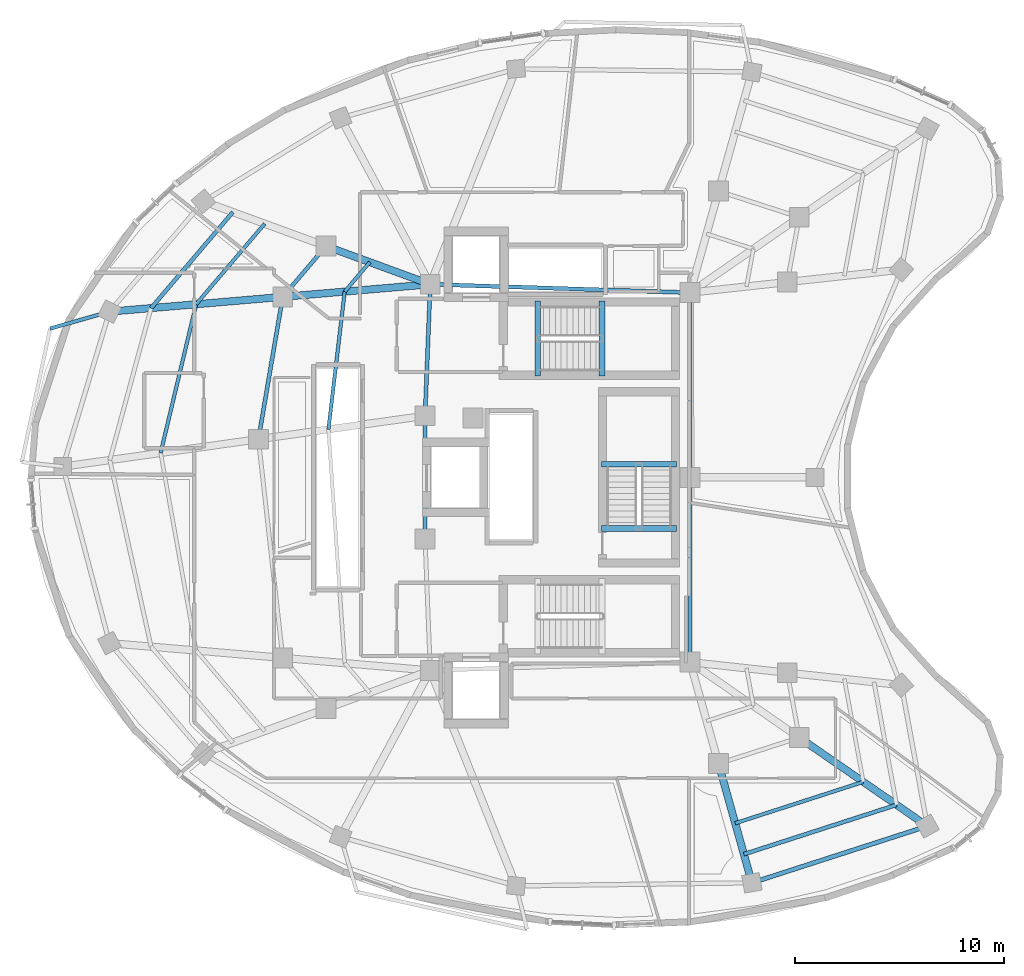
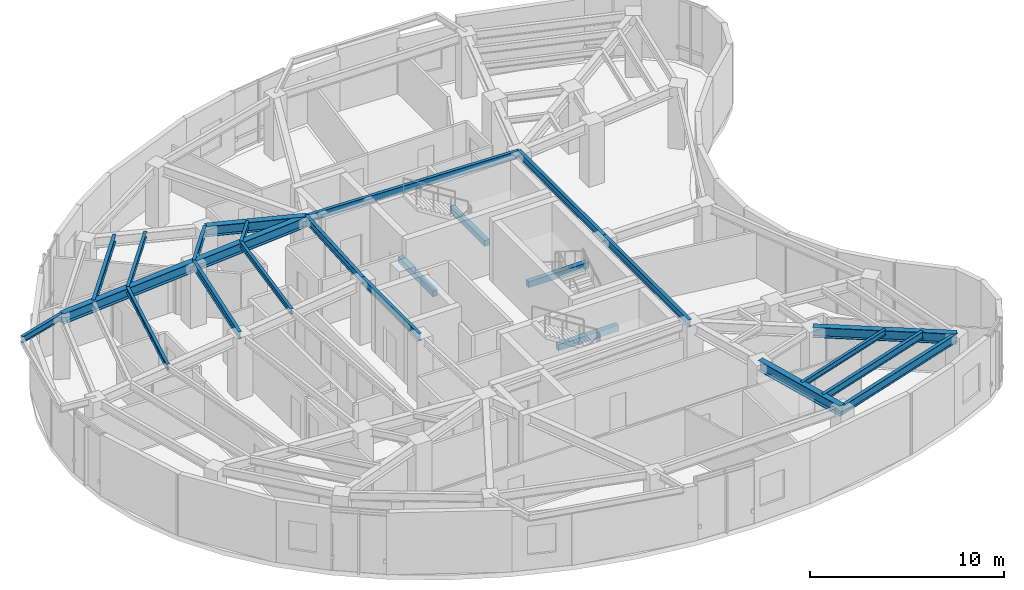
# One storey, part 3 of 13: 25 beams.
"""IFC4 building model written with IfcOpenShell, lengths in metres."""

from ifc_helpers import new_model, si_unit, direction, frame, origin, origin_2d, place, context, subcontext, project, spatial, rectangle, i_section, extrude, material, material_profile, profile_set, type_object, element, save


model = new_model("IFC4")

# Units and contexts
model_context = context("Model", 3, precision=1e-05, world=origin(), true_north=direction((0.0, 1.0)))
body_context = subcontext(model_context, "Body", "Model", "MODEL_VIEW")
ifc_project = project(units=[si_unit("LENGTHUNIT", "METRE"), si_unit("AREAUNIT", "SQUARE_METRE"), si_unit("VOLUMEUNIT", "CUBIC_METRE"), si_unit("PLANEANGLEUNIT", "RADIAN"), si_unit("MASSUNIT", "GRAM", prefix="KILO")], contexts=[model_context])

# Site, building, storey
site_placement = place(None, origin())
site = spatial("IfcSite", under=ifc_project, at=site_placement, CompositionType="ELEMENT")
building_placement = place(site_placement, origin())
building = spatial("IfcBuilding", under=site, at=building_placement, Name="Korentha Bioscience Tower", CompositionType="ELEMENT")
storey_placement = place(building_placement, frame((0.0, 0.0, 243.60009765625)))
storey = spatial("IfcBuildingStorey", under=building, at=storey_placement, Name="L56", CompositionType="ELEMENT", Elevation=243.60009765625)

# Beams
ifc_material_1 = material(Name="Concrete C50", Category="concrete")
ifc_material_profile_1 = material_profile(ifc_material_1, rectangle(XDim=0.280029296875, YDim=0.3798828125, at=origin_2d()), Name="Concrete C50")
ifc_profile_set_1 = profile_set([ifc_material_profile_1], Name="Concrete C50 (ST-HB380)")
beam_type_1 = type_object("IfcBeamType", Name="Concrete Stair Header Beam RC 280x380", PredefinedType="BEAM", material=ifc_profile_set_1)
for number, where, z_axis, x_axis, name in (
    (1, (30.25, 31.85009765625, -0.190185546875), (0.0, 1.0, 0.0), (-1.0, 0.0, 0.0), "L56 ST-1 Concrete Stair Header Beam"),
    (2, (33.330078125, 31.85009765625, 1.909912109375), (0.0, 1.0, 0.0), (-1.0, 0.0, 0.0), "L56 ST-1 Half-Landing Header Beam 1"),
    (3, (36.89990234375, 24.550048828125, -0.190185546875), (-1.0, 0.0, 0.0), (0.0, -1.0, 0.0), "L56 ST-3 Concrete Stair Header Beam"),
    (4, (36.89990234375, 27.6298828125, 1.909912109375), (-1.0, 0.0, 0.0), (0.0, -1.0, 0.0), "L56 ST-3 Half-Landing Header Beam 1"),
):
    element("IfcBeam", number, at=place(storey_placement, frame(where, z_axis=z_axis, x_axis=x_axis)), inside=storey, type_object=beam_type_1, Name=name, PredefinedType="BEAM", context=body_context, shape_type="SweptSolid", body=[
        extrude(rectangle(XDim=0.280029296875, YDim=0.3798828125, at=origin_2d()), origin(), (0.0, 0.0, 1.0), 3.599853515625),
    ])
ifc_material_2 = material(Name="Steel S355", Category="steel")
ifc_material_profile_2 = material_profile(ifc_material_2, i_section(OverallWidth=0.18994140625, OverallDepth=0.45703125, WebThickness=0.009033203125, FlangeThickness=0.014404296875, at=origin_2d()), Name="Steel S355")
ifc_profile_set_2 = profile_set([ifc_material_profile_2], Name="Steel S355 (MB-460)")
beam_type_2 = type_object("IfcBeamType", Name="Mid-Ring Tie Girder W460x74", PredefinedType="BEAM", material=ifc_profile_set_2)
beam_1_placement = place(storey_placement, frame((20.102294921875, 38.07861328125, 3.67138671875), z_axis=(-0.648477940418, -0.761233446974, 0.0), x_axis=(0.761233446974, -0.648477940418, 0.0)))
element("IfcBeam", 5, at=beam_1_placement, inside=storey, type_object=beam_type_2, Name="L56 Mid-Ring Tie Girder 05", PredefinedType="BEAM", context=body_context, shape_type="SweptSolid", body=[
    extrude(i_section(OverallWidth=0.18994140625, OverallDepth=0.45703125, WebThickness=0.009033203125, FlangeThickness=0.014404296875, at=origin_2d()), origin(), (0.0, 0.0, 1.0), 3.193603515625),
])
beam_2_placement = place(storey_placement, frame((18.03125, 35.6474609375, 3.67138671875), z_axis=(-0.168147535946, -0.985761840484, 0.0), x_axis=(0.985761840484, -0.168147535946, 0.0)))
element("IfcBeam", 6, at=beam_2_placement, inside=storey, type_object=beam_type_2, Name="L56 Mid-Ring Tie Girder 06", PredefinedType="BEAM", context=body_context, shape_type="SweptSolid", body=[
    extrude(i_section(OverallWidth=0.18994140625, OverallDepth=0.45703125, WebThickness=0.009033203125, FlangeThickness=0.014404296875, at=origin_2d()), origin(), (0.0, 0.0, 1.0), 6.91552734375),
])
beam_3_placement = place(storey_placement, frame((37.550048828125, 35.85009765625, 3.67138671875), z_axis=(-0.999484526071, 0.032104238723, 0.0), x_axis=(-0.032104238723, -0.999484526071, 0.0)))
element("IfcBeam", 7, at=beam_3_placement, inside=storey, type_object=beam_type_2, Name="L56 Core Ring Tie Girder 01", PredefinedType="BEAM", context=body_context, shape_type="SweptSolid", body=[
    extrude(i_section(OverallWidth=0.18994140625, OverallDepth=0.45703125, WebThickness=0.009033203125, FlangeThickness=0.014404296875, at=origin_2d()), origin(), (0.0, 0.0, 1.0), 12.456298828125),
])
beam_4_placement = place(storey_placement, frame((25.10009765625, 36.25, 3.67138671875), z_axis=(-0.039651025576, -0.999213588864, 0.0), x_axis=(0.999213588864, -0.039651025576, 0.0)))
element("IfcBeam", 8, at=beam_4_placement, inside=storey, type_object=beam_type_2, Name="L56 Core Ring Tie Girder 02", PredefinedType="BEAM", context=body_context, shape_type="SweptSolid", body=[
    extrude(i_section(OverallWidth=0.18994140625, OverallDepth=0.45703125, WebThickness=0.009033203125, FlangeThickness=0.014404296875, at=origin_2d()), origin(), (0.0, 0.0, 1.0), 6.304931640625),
])
beam_5_placement = place(storey_placement, frame((24.85009765625, 29.949951171875, 3.67138671875), z_axis=(0.0, -1.0, 0.0), x_axis=(1.0, 0.0, 0.0)))
element("IfcBeam", 9, at=beam_5_placement, inside=storey, type_object=beam_type_2, Name="L56 Core Ring Tie Girder 03", PredefinedType="BEAM", context=body_context, shape_type="SweptSolid", body=[
    extrude(i_section(OverallWidth=0.18994140625, OverallDepth=0.45703125, WebThickness=0.009033203125, FlangeThickness=0.014404296875, at=origin_2d()), origin(), (0.0, 0.0, 1.0), 5.89990234375),
])
for number, where, z_axis, x_axis, name in (
    (10, (37.550048828125, 18.14990234375, 3.67138671875), (0.0, 1.0, 0.0), (-1.0, 0.0, 0.0), "L56 Core Ring Tie Girder 06"),
    (11, (37.550048828125, 27.0, 3.67138671875), (0.0, 1.0, 0.0), (-1.0, 0.0, 0.0), "L56 Core Ring Tie Girder 07"),
):
    element("IfcBeam", number, at=place(storey_placement, frame(where, z_axis=z_axis, x_axis=x_axis)), inside=storey, type_object=beam_type_2, Name=name, PredefinedType="BEAM", context=body_context, shape_type="SweptSolid", body=[
        extrude(i_section(OverallWidth=0.18994140625, OverallDepth=0.45703125, WebThickness=0.009033203125, FlangeThickness=0.014404296875, at=origin_2d()), origin(), (0.0, 0.0, 1.0), 8.85009765625),
    ])
ifc_material_profile_3 = material_profile(ifc_material_2, i_section(OverallWidth=0.208984375, OverallDepth=0.532958984375, WebThickness=0.01025390625, FlangeThickness=0.015625, at=origin_2d()), Name="Steel S355")
ifc_profile_set_3 = profile_set([ifc_material_profile_3], Name="Steel S355 (SB-530)")
beam_type_3 = type_object("IfcBeamType", Name="Perimeter Ring Spandrel Girder W530x92", PredefinedType="SPANDREL", material=ifc_profile_set_3)
beam_6_placement = place(storey_placement, frame((40.5087890625, 7.576171875, 3.63330078125), z_axis=(0.951540431246, 0.307523670151, 0.0), x_axis=(-0.307523670151, 0.951540431246, 0.0)))
element("IfcBeam", 12, at=beam_6_placement, inside=storey, type_object=beam_type_3, Name="L56 Perimeter Spandrel Girder 12", PredefinedType="SPANDREL", context=body_context, shape_type="SweptSolid", body=[
    extrude(i_section(OverallWidth=0.208984375, OverallDepth=0.532958984375, WebThickness=0.01025390625, FlangeThickness=0.015625, at=origin_2d()), origin(), (0.0, 0.0, 1.0), 8.83203125),
])
ifc_material_profile_4 = material_profile(ifc_material_2, i_section(OverallWidth=0.18994140625, OverallDepth=0.45703125, WebThickness=0.009033203125, FlangeThickness=0.014404296875, at=origin_2d()), Name="Steel S355")
ifc_profile_set_4 = profile_set([ifc_material_profile_4], Name="Steel S355 (RB-460)")
beam_type_4 = type_object("IfcBeamType", Name="Radial Laboratory Beam W460x74", PredefinedType="BEAM", material=ifc_profile_set_4)
beam_7_placement = place(storey_placement, frame((15.643310546875, 39.710205078125, 3.67138671875), z_axis=(-0.64841269497, -0.761289023303, 0.0), x_axis=(0.761289023303, -0.64841269497, 0.0)))
element("IfcBeam", 13, at=beam_7_placement, inside=storey, type_object=beam_type_4, Name="L56 Secondary Floor Beam JSTO-05", PredefinedType="BEAM", context=body_context, shape_type="SweptSolid", body=[
    extrude(i_section(OverallWidth=0.18994140625, OverallDepth=0.45703125, WebThickness=0.009033203125, FlangeThickness=0.014404296875, at=origin_2d()), origin(), (0.0, 0.0, 1.0), 6.043212890625),
])
beam_8_placement = place(storey_placement, frame((40.12548828125, 8.946533203125, 3.67138671875), z_axis=(0.951530655781, 0.307553915777, 0.0), x_axis=(-0.307553915777, 0.951530655781, 0.0)))
element("IfcBeam", 14, at=beam_8_placement, inside=storey, type_object=beam_type_4, Name="L56 Secondary Floor Beam JSTO-12", PredefinedType="BEAM", context=body_context, shape_type="SweptSolid", body=[
    extrude(i_section(OverallWidth=0.18994140625, OverallDepth=0.45703125, WebThickness=0.009033203125, FlangeThickness=0.014404296875, at=origin_2d()), origin(), (0.0, 0.0, 1.0), 7.687255859375),
])
ifc_material_profile_5 = material_profile(ifc_material_2, i_section(OverallWidth=0.35009765625, OverallDepth=0.64990234375, WebThickness=0.01611328125, FlangeThickness=0.02490234375, at=origin_2d()), Name="Steel S355")
ifc_profile_set_5 = profile_set([ifc_material_profile_5], Name="Steel S355 (RB-650)")
beam_type_5 = type_object("IfcBeamType", Name="Radial Laboratory Girder CVS 650x208", PredefinedType="BEAM", material=ifc_profile_set_5)
beam_9_placement = place(storey_placement, frame((25.10009765625, 36.25, 3.574951171875), z_axis=(-0.939113825958, 0.34360620177, 0.0), x_axis=(-0.34360620177, -0.939113825958, 0.0)))
element("IfcBeam", 15, at=beam_9_placement, inside=storey, type_object=beam_type_5, Name="L56 Inner Radial Girder 05", PredefinedType="BEAM", context=body_context, shape_type="SweptSolid", body=[
    extrude(i_section(OverallWidth=0.35009765625, OverallDepth=0.64990234375, WebThickness=0.01611328125, FlangeThickness=0.02490234375, at=origin_2d()), origin(), (0.0, 0.0, 1.0), 5.32177734375),
])
beam_10_placement = place(storey_placement, frame((25.10009765625, 36.25, 3.574951171875), z_axis=(-0.996386862802, -0.084930675464, 0.0), x_axis=(0.084930675464, -0.996386862802, 0.0)))
element("IfcBeam", 16, at=beam_10_placement, inside=storey, type_object=beam_type_5, Name="L56 Inner Radial Girder 06", PredefinedType="BEAM", context=body_context, shape_type="SweptSolid", body=[
    extrude(i_section(OverallWidth=0.35009765625, OverallDepth=0.64990234375, WebThickness=0.01611328125, FlangeThickness=0.02490234375, at=origin_2d()), origin(), (0.0, 0.0, 1.0), 7.094482421875),
])
beam_11_placement = place(storey_placement, frame((18.03125, 35.6474609375, 3.574951171875), z_axis=(-0.996384608351, -0.084957120013, 0.0), x_axis=(0.084957120013, -0.996384608351, 0.0)))
element("IfcBeam", 17, at=beam_11_placement, inside=storey, type_object=beam_type_5, Name="L56 Outer Radial Girder 06", PredefinedType="BEAM", context=body_context, shape_type="SweptSolid", body=[
    extrude(i_section(OverallWidth=0.35009765625, OverallDepth=0.64990234375, WebThickness=0.01611328125, FlangeThickness=0.02490234375, at=origin_2d()), origin(), (0.0, 0.0, 1.0), 8.327880859375),
])
beam_12_placement = place(storey_placement, frame((38.9111328125, 13.285888671875, 3.574951171875), z_axis=(0.269463441067, -0.963010619842, 0.0), x_axis=(0.963010619842, 0.269463441067, 0.0)))
element("IfcBeam", 18, at=beam_12_placement, inside=storey, type_object=beam_type_5, Name="L56 Outer Radial Girder 12", PredefinedType="BEAM", context=body_context, shape_type="SweptSolid", body=[
    extrude(i_section(OverallWidth=0.35009765625, OverallDepth=0.64990234375, WebThickness=0.01611328125, FlangeThickness=0.02490234375, at=origin_2d()), origin(), (0.0, 0.0, 1.0), 5.928955078125),
])
beam_13_placement = place(storey_placement, frame((42.77685546875, 14.535400390625, 3.574951171875), z_axis=(0.822494853441, -0.568772552135, 0.0), x_axis=(0.568772552135, 0.822494853441, 0.0)))
element("IfcBeam", 19, at=beam_13_placement, inside=storey, type_object=beam_type_5, Name="L56 Outer Radial Girder 13", PredefinedType="BEAM", context=body_context, shape_type="SweptSolid", body=[
    extrude(i_section(OverallWidth=0.35009765625, OverallDepth=0.64990234375, WebThickness=0.01611328125, FlangeThickness=0.02490234375, at=origin_2d()), origin(), (0.0, 0.0, 1.0), 7.460205078125),
])
ifc_material_profile_6 = material_profile(ifc_material_2, i_section(OverallWidth=0.1708984375, OverallDepth=0.35498046875, WebThickness=0.007080078125, FlangeThickness=0.01171875, at=origin_2d()), Name="Steel S355")
ifc_profile_set_6 = profile_set([ifc_material_profile_6], Name="Steel S355 (JB-360)")
beam_type_6 = type_object("IfcBeamType", Name="Secondary Laboratory Joist W360x51", PredefinedType="JOIST", material=ifc_profile_set_6)
beam_14_placement = place(storey_placement, frame((17.168701171875, 39.152099609375, 3.722412109375), z_axis=(-0.648419930644, -0.761282860404, 0.0), x_axis=(0.761282860404, -0.648419930644, 0.0)))
element("IfcBeam", 20, at=beam_14_placement, inside=storey, type_object=beam_type_6, Name="L56 Secondary Floor Beam JST-05", PredefinedType="JOIST", context=body_context, shape_type="SweptSolid", body=[
    extrude(i_section(OverallWidth=0.1708984375, OverallDepth=0.35498046875, WebThickness=0.007080078125, FlangeThickness=0.01171875, at=origin_2d()), origin(), (0.0, 0.0, 1.0), 5.068359375),
])
beam_15_placement = place(storey_placement, frame((22.201416015625, 37.310546875, 3.722412109375), z_axis=(-0.648443825531, -0.761262507372, 0.0), x_axis=(0.761262507372, -0.648443825531, 0.0)))
element("IfcBeam", 21, at=beam_15_placement, inside=storey, type_object=beam_type_6, Name="L56 Inner Bay Joist 05", PredefinedType="JOIST", context=body_context, shape_type="SweptSolid", body=[
    extrude(i_section(OverallWidth=0.1708984375, OverallDepth=0.35498046875, WebThickness=0.007080078125, FlangeThickness=0.01171875, at=origin_2d()), origin(), (0.0, 0.0, 1.0), 1.852294921875),
])
beam_16_placement = place(storey_placement, frame((13.88232421875, 35.293701171875, 3.722412109375), z_axis=(-0.232060874358, -0.972701264825, 0.0), x_axis=(0.972701264825, -0.232060874358, 0.0)))
element("IfcBeam", 22, at=beam_16_placement, inside=storey, type_object=beam_type_6, Name="L56 Secondary Floor Beam JST-06", PredefinedType="JOIST", context=body_context, shape_type="SweptSolid", body=[
    extrude(i_section(OverallWidth=0.1708984375, OverallDepth=0.35498046875, WebThickness=0.007080078125, FlangeThickness=0.01171875, at=origin_2d()), origin(), (0.0, 0.0, 1.0), 7.3203125),
])
beam_17_placement = place(storey_placement, frame((21.000244140625, 35.900390625, 3.722412109375), z_axis=(-0.117299500462, -0.993096585027, 0.0), x_axis=(0.993096585027, -0.117299500462, 0.0)))
element("IfcBeam", 23, at=beam_17_placement, inside=storey, type_object=beam_type_6, Name="L56 Inner Bay Joist 06", PredefinedType="JOIST", context=body_context, shape_type="SweptSolid", body=[
    extrude(i_section(OverallWidth=0.1708984375, OverallDepth=0.35498046875, WebThickness=0.007080078125, FlangeThickness=0.01171875, at=origin_2d()), origin(), (0.0, 0.0, 1.0), 6.645751953125),
])
beam_18_placement = place(storey_placement, frame((39.7099609375, 10.430908203125, 3.722412109375), z_axis=(0.951532872692, 0.307547056867, 0.0), x_axis=(-0.307547056867, 0.951532872692, 0.0)))
element("IfcBeam", 24, at=beam_18_placement, inside=storey, type_object=beam_type_6, Name="L56 Secondary Floor Beam JST-12", PredefinedType="JOIST", context=body_context, shape_type="SweptSolid", body=[
    extrude(i_section(OverallWidth=0.1708984375, OverallDepth=0.35498046875, WebThickness=0.007080078125, FlangeThickness=0.01171875, at=origin_2d()), origin(), (0.0, 0.0, 1.0), 6.447509765625),
])
ifc_material_profile_7 = material_profile(ifc_material_2, i_section(OverallWidth=0.177978515625, OverallDepth=0.406982421875, WebThickness=0.0078125, FlangeThickness=0.0126953125, at=origin_2d()), Name="Steel S355")
ifc_profile_set_7 = profile_set([ifc_material_profile_7], Name="Steel S355 (CB-410)")
beam_type_7 = type_object("IfcBeamType", Name="Sun-Ledge Cantilever Beam W410x60", PredefinedType="BEAM", material=ifc_profile_set_7)
beam_19_placement = place(storey_placement, frame((9.7333984375, 34.93994140625, 3.698486328125), z_axis=(-0.961527061554, -0.274710228966, 0.0), x_axis=(0.274710228966, -0.961527061554, 0.0)))
element("IfcBeam", 25, at=beam_19_placement, inside=storey, type_object=beam_type_7, Name="L56 Balcony Cantilever Bracket A-L57-02", PredefinedType="BEAM", context=body_context, shape_type="SweptSolid", body=[
    extrude(i_section(OverallWidth=0.177978515625, OverallDepth=0.406982421875, WebThickness=0.0078125, FlangeThickness=0.0126953125, at=origin_2d()), origin(), (0.0, 0.0, 1.0), 2.95849609375),
])

save(model, "model.ifc")
